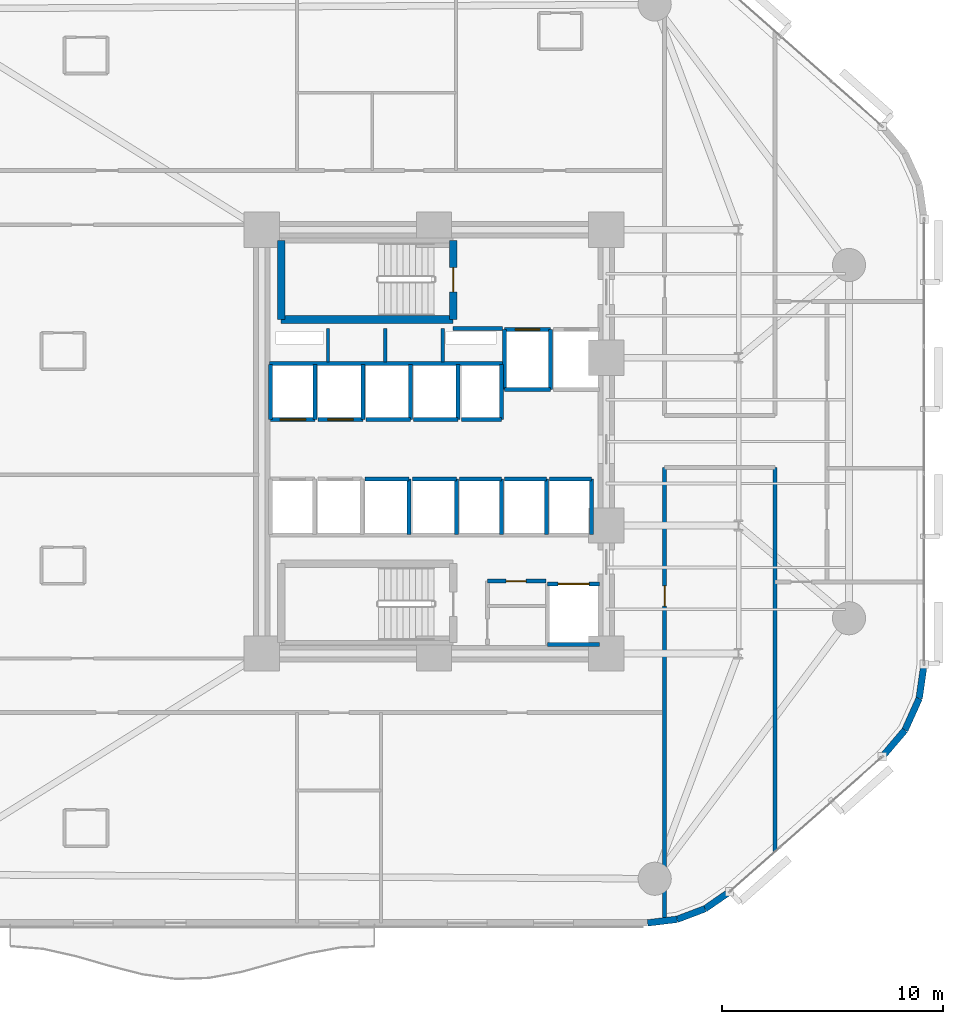
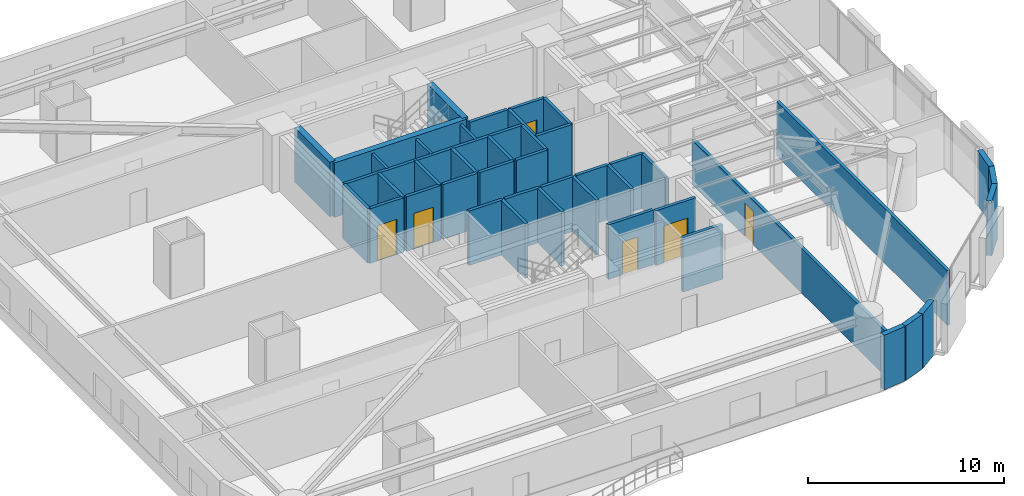
# One storey, part 11 of 16: 44 walls, 7 doors, 7 openings.
"""IFC4 building model written with IfcOpenShell, lengths in metres."""

import ifcopenshell
import ifcopenshell.guid

model = None  # the IFC model being written
_history = None  # IfcOwnerHistory: only IFC2X3 demands one
_inside = {}  # id of a spatial element -> (the spatial element, [elements in it])
_under = {}  # id of a project, library or spatial element -> (it, [spatial elements below it])
_declared = {}  # id of a project -> (the project, [libraries it declares])
_typed = {}  # id of a type object -> (the type object, [elements of that type])
_made_of = {}  # id of a material, layer set ... -> (it, [elements and type objects made of it])


def new_model(schema):
    """Start an empty IFC model of exactly this schema.

    Asked for "IFC4X3", IfcOpenShell would pick the latest addendum, in which some entities
    have other attributes; the version numbers below select the first issue.
    IFC2X3 requires an IfcOwnerHistory on every rooted entity: one is made here for all.
    """
    global model, _history
    if schema == "IFC4X3":
        model = ifcopenshell.file(schema_version=(4, 3, 0, 0))
    else:
        model = ifcopenshell.file(schema=schema)
    _inside.clear()
    _under.clear()
    _declared.clear()
    _typed.clear()
    _made_of.clear()
    _history = None
    if model.schema == "IFC2X3":
        org = make("IfcOrganization", Name="unknown")
        user = make(
            "IfcPersonAndOrganization",
            ThePerson=make("IfcPerson", FamilyName="unknown"),
            TheOrganization=org,
        )
        app = make(
            "IfcApplication",
            ApplicationDeveloper=org,
            Version="unknown",
            ApplicationFullName="unknown",
            ApplicationIdentifier="unknown",
        )
        _history = make(
            "IfcOwnerHistory",
            OwningUser=user,
            OwningApplication=app,
            ChangeAction="ADDED",
            CreationDate=0,
        )
    return model


def make(cls, **values):
    """One entity of the class cls with the attributes given. An attribute that is None is left unset."""
    return model.create_entity(
        cls, **{name: value for name, value in values.items() if value is not None}
    )


def rooted(cls, **values):
    """An entity with a GlobalId (a new one), such as an element, a storey or a relation."""
    return make(cls, GlobalId=ifcopenshell.guid.new(), OwnerHistory=_history, **values)


def si_unit(unit_type, name, prefix=None):
    """IfcSIUnit, for example si_unit("LENGTHUNIT", "METRE", prefix="MILLI")."""
    return make("IfcSIUnit", UnitType=unit_type, Prefix=prefix, Name=name)


def assignment(units):
    """IfcUnitAssignment: the units of a project."""
    return None if units is None else make("IfcUnitAssignment", Units=units)


def point(xyz):
    """IfcCartesianPoint."""
    return None if xyz is None else make("IfcCartesianPoint", Coordinates=xyz)


def direction(xyz):
    """IfcDirection."""
    return None if xyz is None else make("IfcDirection", DirectionRatios=xyz)


def frame(location, z_axis=None, x_axis=None):
    """IfcAxis2Placement3D, a coordinate frame: its origin and axes. An axis left out is left unset."""
    return make(
        "IfcAxis2Placement3D",
        Location=point(location),
        Axis=direction(z_axis),
        RefDirection=direction(x_axis),
    )


def frame_2d(location, x_axis=None):
    """IfcAxis2Placement2D, a coordinate frame in the plane: its origin and x axis."""
    return make(
        "IfcAxis2Placement2D", Location=point(location), RefDirection=direction(x_axis)
    )


def origin():
    """The frame at (0, 0, 0) with its axes left unset."""
    return frame((0.0, 0.0, 0.0))


def place(relative_to, where):
    """IfcLocalPlacement: puts the frame where relative to a parent placement (None: the world)."""
    return make(
        "IfcLocalPlacement", PlacementRelTo=relative_to, RelativePlacement=where
    )


def context(
    kind, dimensions, precision=None, world=None, true_north=None, identifier=None
):
    """IfcGeometricRepresentationContext, for example the 3D "Model" context."""
    return make(
        "IfcGeometricRepresentationContext",
        ContextIdentifier=identifier,
        ContextType=kind,
        CoordinateSpaceDimension=dimensions,
        Precision=precision,
        WorldCoordinateSystem=world,
        TrueNorth=true_north,
    )


def subcontext(parent, identifier, kind, view, scale=None):
    """IfcGeometricRepresentationSubContext, for example "Body" below "Model"."""
    return make(
        "IfcGeometricRepresentationSubContext",
        ContextIdentifier=identifier,
        ContextType=kind,
        ParentContext=parent,
        TargetScale=scale,
        TargetView=view,
    )


def project(units=None, contexts=None):
    """IfcProject with its units and contexts."""
    return rooted(
        "IfcProject",
        Name="project",
        RepresentationContexts=contexts,
        UnitsInContext=assignment(units),
    )


def spatial(cls, under=None, at=None, **own):
    """A site, building, storey or space (cls), placed at a placement, below another one or the project."""
    s = rooted(cls, ObjectPlacement=at, **own)
    if under is not None:
        _under.setdefault(under.id(), (under, []))[1].append(s)
    return s


def profile(cls, at=None, kind="AREA", **sizes):
    """A parametric profile (cls). Its sizes go by their IFC names, for example OverallWidth=200.0."""
    return make(cls, ProfileType=kind, Position=at, **sizes)


def rectangle(**sizes):
    """IfcRectangleProfileDef."""
    return profile("IfcRectangleProfileDef", **sizes)


def extrude(swept, where, along, depth):
    """IfcExtrudedAreaSolid: the profile swept, set in the frame where, extruded along a direction by depth."""
    return make(
        "IfcExtrudedAreaSolid",
        SweptArea=swept,
        Position=where,
        ExtrudedDirection=direction(along),
        Depth=depth,
    )


def shape(context_of_items, identifier, shape_type, items):
    """IfcShapeRepresentation: the items that make up one representation, for example the "Body"."""
    return make(
        "IfcShapeRepresentation",
        ContextOfItems=context_of_items,
        RepresentationIdentifier=identifier,
        RepresentationType=shape_type,
        Items=items,
    )


def material(Name=None, Category=None):
    """IfcMaterial."""
    return make("IfcMaterial", Name=Name, Category=Category)


def layer(
    of_material, thickness, ventilated=None, Name=None, Category=None, Priority=None
):
    """IfcMaterialLayer: one layer of a wall or slab, of a material (None: an air gap)."""
    return make(
        "IfcMaterialLayer",
        Material=of_material,
        LayerThickness=thickness,
        IsVentilated=ventilated,
        Name=Name,
        Category=Category,
        Priority=Priority,
    )


def layer_set(layers, Name=None):
    """IfcMaterialLayerSet."""
    return make("IfcMaterialLayerSet", MaterialLayers=layers, LayerSetName=Name)


def made_of(thing, what):
    """Note that an element or type object is made of a material, layer set ...; save() writes the relation."""
    if what is not None:
        _made_of.setdefault(what.id(), (what, []))[1].append(thing)
    return thing


def type_object(cls, material=None, **own):
    """A type object (cls), such as IfcWallType, which elements share."""
    return made_of(rooted(cls, **own), material)


def element(
    cls,
    number,
    at=None,
    inside=None,
    cuts=None,
    type_object=None,
    material=None,
    context=None,
    identifier="Body",
    shape_type=None,
    held_by="IfcProductDefinitionShape",
    body=None,
    shapes=None,
    **own,
):
    """One element of the class cls, such as IfcWall. Its Tag is "e" and its number.

    at: its placement. inside: the storey or other place that contains it. cuts: it is an
    opening in that element (IfcRelVoidsElement). A single representation is given by context,
    identifier, shape_type and body (its items); several are given by shapes. held_by: the class
    of the entity that holds the representations. save() writes the other relations.
    """
    e = rooted(cls, Tag="e%d" % number, ObjectPlacement=at, **own)
    if body is not None:
        shapes = [shape(context, identifier, shape_type, body)]
    if shapes is not None:
        e.Representation = make(held_by, Representations=shapes)
    if inside is not None:
        _inside.setdefault(inside.id(), (inside, []))[1].append(e)
    if cuts is not None:
        rooted(
            "IfcRelVoidsElement", RelatingBuildingElement=cuts, RelatedOpeningElement=e
        )
    if type_object is not None:
        _typed.setdefault(type_object.id(), (type_object, []))[1].append(e)
    return made_of(e, material)


def fill(opening, filler):
    """IfcRelFillsElement: the door or window that sits in an opening."""
    return rooted(
        "IfcRelFillsElement",
        RelatingOpeningElement=opening,
        RelatedBuildingElement=filler,
    )


def aggregate(whole, parts):
    """IfcRelAggregates: a whole, such as a stair, and the parts it consists of."""
    return rooted("IfcRelAggregates", RelatingObject=whole, RelatedObjects=parts)


def save(model, path):
    """Write the relations noted so far, then the file.

    IfcRelAggregates (storeys below a building ...), IfcRelContainedInSpatialStructure (elements
    in a storey), IfcRelDefinesByType, IfcRelAssociatesMaterial and IfcRelDeclares: one each for
    every whole, place, type object, material and project.
    """
    for whole, parts in _under.values():
        aggregate(whole, parts)
    for where, things in _inside.values():
        rooted(
            "IfcRelContainedInSpatialStructure",
            RelatedElements=things,
            RelatingStructure=where,
        )
    for kind, things in _typed.values():
        rooted("IfcRelDefinesByType", RelatedObjects=things, RelatingType=kind)
    for what, things in _made_of.values():
        rooted("IfcRelAssociatesMaterial", RelatedObjects=things, RelatingMaterial=what)
    for by, libraries in _declared.values():
        rooted("IfcRelDeclares", RelatingContext=by, RelatedDefinitions=libraries)
    model.write(path)


model = new_model("IFC4")

# Units and contexts
model_context = context("Model", 3, precision=1e-05, world=origin(), true_north=direction((0.0, 1.0)))
body_context = subcontext(model_context, "Body", "Model", "MODEL_VIEW")
ifc_project = project(units=[si_unit("LENGTHUNIT", "METRE"), si_unit("AREAUNIT", "SQUARE_METRE"), si_unit("VOLUMEUNIT", "CUBIC_METRE"), si_unit("PLANEANGLEUNIT", "RADIAN"), si_unit("MASSUNIT", "GRAM", prefix="KILO")], contexts=[model_context])

# Site, building, storey
site_placement = place(None, origin())
site = spatial("IfcSite", under=ifc_project, at=site_placement, CompositionType="ELEMENT")
building_placement = place(site_placement, origin())
building = spatial("IfcBuilding", under=site, at=building_placement, Name="An Khanh Terracotta Commons", CompositionType="ELEMENT")
storey_placement = place(building_placement, frame((0.0, 0.0, 54.0)))
storey = spatial("IfcBuildingStorey", under=building, at=storey_placement, Name="L14", CompositionType="ELEMENT", Elevation=54.0)

# Walls
ifc_material_1 = material(Name="Fire-Rated Gypsum Board on Steel Stud", Category="steel")
ifc_layer_1 = layer(ifc_material_1, 0.179931640625, Name="Fire-Rated Gypsum Board on Steel Stud")
ifc_layer_set_1 = layer_set([ifc_layer_1], Name="Fire-Rated Gypsum Board on Steel Stud")
wall_type_1 = type_object("IfcWallType", Name="WALL-CORR-180", PredefinedType="PARTITIONING", material=ifc_layer_set_1)
wall_1_placement = place(storey_placement, frame((30.27001953125, 29.1201171875, 0.0), z_axis=(0.0, 0.0, 1.0), x_axis=(1.0, 0.0, 0.0)))
element("IfcWall", 1, at=wall_1_placement, inside=storey, type_object=wall_type_1, Name="L14 Core Wall FFLW-L14-S", PredefinedType="PARTITIONING", context=body_context, shape_type="SweptSolid", body=[
    extrude(rectangle(XDim=2.239990234375, YDim=0.179931640625, at=frame_2d((1.1201171875, 0.0))), origin(), (0.0, 0.0, 1.0), 3.39990234375),
])
wall_2_placement = place(storey_placement, frame((21.949951171875, 27.5400390625, 0.0), z_axis=(0.0, 0.0, 1.0), x_axis=(1.0, 0.0, 0.0)))
element("IfcWall", 2, at=wall_2_placement, inside=storey, type_object=wall_type_1, Name="L14 Core Wall RSRW-L14-S", PredefinedType="PARTITIONING", context=body_context, shape_type="SweptSolid", body=[
    extrude(rectangle(XDim=10.56005859375, YDim=0.179931640625, at=frame_2d((5.280029296875, 0.0))), origin(), (0.0, 0.0, 1.0), 3.39990234375),
])

# Wall, opening, door
wall_3_placement = place(storey_placement, frame((31.820068359375, 17.679931640625, 0.0), z_axis=(0.0, 0.0, 1.0), x_axis=(1.0, 0.0, 0.0)))
wall_3 = element("IfcWall", 3, at=wall_3_placement, inside=storey, type_object=wall_type_1, Name="L14 Core Wall SSVCW-L14-N", PredefinedType="PARTITIONING", context=body_context, shape_type="SweptSolid", body=[
    extrude(rectangle(XDim=2.659912109375, YDim=0.179931640625, at=frame_2d((1.330078125, 0.0))), origin(), (0.0, 0.0, 1.0), 3.39990234375),
])
opening_1_placement = place(wall_3_placement, frame((0.85009765625, 0.0, 0.0)))
opening_1 = element("IfcOpeningElement", 4, at=opening_1_placement, cuts=wall_3, Name="Opening D-SV", PredefinedType="OPENING", context=body_context, shape_type="SweptSolid", body=[
    extrude(rectangle(XDim=0.89990234375, YDim=2.050048828125, at=frame_2d((0.449951171875, 1.02490234375))), frame((0.0, 0.099853515625, 0.0), z_axis=(0.0, -1.0, 0.0), x_axis=(1.0, 0.0, 0.0)), (0.0, 0.0, 1.0), 0.199951171875),
])
ifc_material_2 = material(Name="Fire-Rated Powder-Coated Steel Door", Category="steel")
door_type_1 = type_object("IfcDoorType", Name="DOOR-SERV-900", OperationType="NOTDEFINED", PredefinedType="DOOR", material=ifc_material_2)
door_1_placement = place(opening_1_placement, origin())
door_1 = element("IfcDoor", 5, at=door_1_placement, inside=storey, type_object=door_type_1, Name="L14 Core Cleaner Store Door", OperationType="SINGLE_SWING_RIGHT", OverallHeight=2.050048828125, OverallWidth=0.89990234375, PredefinedType="DOOR", context=body_context, shape_type="SweptSolid", body=[
    extrude(rectangle(XDim=0.89990234375, YDim=2.050048828125, at=frame_2d((0.449951171875, 1.02490234375))), frame((0.0, 0.02490234375, 0.0), z_axis=(0.0, -1.0, 0.0), x_axis=(1.0, 0.0, 0.0)), (0.0, 0.0, 1.0), 0.050048828125),
])
fill(opening_1, door_1)

wall_4_placement = place(storey_placement, frame((32.60009765625, 29.080078125, 0.0), z_axis=(0.0, 0.0, 1.0), x_axis=(1.0, 0.0, 0.0)))
wall_4 = element("IfcWall", 6, at=wall_4_placement, inside=storey, type_object=wall_type_1, Name="L14 Core Wall LSH-L14-FFL-01-N", PredefinedType="PARTITIONING", context=body_context, shape_type="SweptSolid", body=[
    extrude(rectangle(XDim=2.079833984375, YDim=0.179931640625, at=frame_2d((1.0400390625, 0.0))), origin(), (0.0, 0.0, 1.0), 3.39990234375),
])
opening_2_placement = place(wall_4_placement, frame((0.489990234375, 0.0, 0.0)))
opening_2 = element("IfcOpeningElement", 7, at=opening_2_placement, cuts=wall_4, Name="Opening LD-FFL-01-L14", PredefinedType="OPENING", context=body_context, shape_type="SweptSolid", body=[
    extrude(rectangle(XDim=1.10009765625, YDim=2.199951171875, at=frame_2d((0.550048828125, 1.10009765625))), frame((0.0, 0.099853515625, 0.0), z_axis=(0.0, -1.0, 0.0), x_axis=(1.0, 0.0, 0.0)), (0.0, 0.0, 1.0), 0.199951171875),
])
ifc_material_3 = material(Name="Brushed Stainless Steel Fire Landing Door", Category="steel")
door_type_2 = type_object("IfcDoorType", Name="DOOR-LD-FFL-1100", OperationType="NOTDEFINED", PredefinedType="DOOR", material=ifc_material_3)
door_2_placement = place(opening_2_placement, origin())
door_2 = element("IfcDoor", 8, at=door_2_placement, inside=storey, type_object=door_type_2, Name="L14 Lift FFL-01 Sliding Landing Door", OperationType="DOUBLE_DOOR_SLIDING", OverallHeight=2.199951171875, OverallWidth=1.10009765625, PredefinedType="DOOR", context=body_context, shape_type="SweptSolid", body=[
    extrude(rectangle(XDim=1.10009765625, YDim=2.199951171875, at=frame_2d((0.550048828125, 1.10009765625))), frame((0.0, 0.02490234375, 0.0), z_axis=(0.0, -1.0, 0.0), x_axis=(1.0, 0.0, 0.0)), (0.0, 0.0, 1.0), 0.050048828125),
])
fill(opening_2, door_2)

# Walls
wall_5_placement = place(storey_placement, frame((34.679931640625, 26.35009765625, 0.0), z_axis=(0.0, 0.0, 1.0), x_axis=(-1.0, 0.0, 0.0)))
element("IfcWall", 9, at=wall_5_placement, inside=storey, type_object=wall_type_1, Name="L14 Core Wall LSH-L14-FFL-01-S", PredefinedType="PARTITIONING", context=body_context, shape_type="SweptSolid", body=[
    extrude(rectangle(XDim=2.079833984375, YDim=0.179931640625, at=frame_2d((1.0400390625, 0.0))), origin(), (0.0, 0.0, 1.0), 3.39990234375),
])
for number, where, z_axis, x_axis, name in (
    (10, (34.679931640625, 26.35009765625, 0.0), (0.0, 0.0, 1.0), (0.0, 1.0, 0.0), "L14 Core Wall LSH-L14-FFL-01-E"),
    (11, (32.60009765625, 29.080078125, 0.0), (0.0, 0.0, 1.0), (0.0, -1.0, 0.0), "L14 Core Wall LSH-L14-FFL-01-W"),
):
    element("IfcWall", number, at=place(storey_placement, frame(where, z_axis=z_axis, x_axis=x_axis)), inside=storey, type_object=wall_type_1, Name=name, PredefinedType="PARTITIONING", context=body_context, shape_type="SweptSolid", body=[
        extrude(rectangle(XDim=2.72998046875, YDim=0.179931640625, at=frame_2d((1.364990234375, 0.0))), origin(), (0.0, 0.0, 1.0), 3.39990234375),
    ])

# Wall, opening, door
wall_6_placement = place(storey_placement, frame((34.550048828125, 17.550048828125, 0.0), z_axis=(0.0, 0.0, 1.0), x_axis=(1.0, 0.0, 0.0)))
wall_6 = element("IfcWall", 12, at=wall_6_placement, inside=storey, type_object=wall_type_1, Name="L14 Core Wall LSH-L14-SVL-01-N", PredefinedType="PARTITIONING", context=body_context, shape_type="SweptSolid", body=[
    extrude(rectangle(XDim=2.349853515625, YDim=0.179931640625, at=frame_2d((1.1748046875, 0.0))), origin(), (0.0, 0.0, 1.0), 3.39990234375),
])
opening_3_placement = place(wall_6_placement, frame((0.47509765625, 0.0, 0.0)))
opening_3 = element("IfcOpeningElement", 13, at=opening_3_placement, cuts=wall_6, Name="Opening LD-SVL-01-L14", PredefinedType="OPENING", context=body_context, shape_type="SweptSolid", body=[
    extrude(rectangle(XDim=1.39990234375, YDim=2.300048828125, at=frame_2d((0.699951171875, 1.14990234375))), frame((0.0, 0.099853515625, 0.0), z_axis=(0.0, -1.0, 0.0), x_axis=(1.0, 0.0, 0.0)), (0.0, 0.0, 1.0), 0.199951171875),
])
ifc_material_4 = material(Name="Heavy-Duty Stainless Steel Goods Landing Door", Category="steel")
door_type_3 = type_object("IfcDoorType", Name="DOOR-LD-SVL-1400", OperationType="NOTDEFINED", PredefinedType="DOOR", material=ifc_material_4)
door_3_placement = place(opening_3_placement, origin())
door_3 = element("IfcDoor", 14, at=door_3_placement, inside=storey, type_object=door_type_3, Name="L14 Lift SVL-01 Sliding Landing Door", OperationType="DOUBLE_DOOR_SLIDING", OverallHeight=2.300048828125, OverallWidth=1.39990234375, PredefinedType="DOOR", context=body_context, shape_type="SweptSolid", body=[
    extrude(rectangle(XDim=1.39990234375, YDim=2.300048828125, at=frame_2d((0.699951171875, 1.14990234375))), frame((0.0, 0.02490234375, 0.0), z_axis=(0.0, -1.0, 0.0), x_axis=(1.0, 0.0, 0.0)), (0.0, 0.0, 1.0), 0.050048828125),
])
fill(opening_3, door_3)

# Wall
wall_7_placement = place(storey_placement, frame((36.89990234375, 14.800048828125, 0.0), z_axis=(0.0, 0.0, 1.0), x_axis=(-1.0, 0.0, 0.0)))
element("IfcWall", 15, at=wall_7_placement, inside=storey, type_object=wall_type_1, Name="L14 Core Wall LSH-L14-SVL-01-S", PredefinedType="PARTITIONING", context=body_context, shape_type="SweptSolid", body=[
    extrude(rectangle(XDim=2.349853515625, YDim=0.179931640625, at=frame_2d((1.1748046875, 0.0))), origin(), (0.0, 0.0, 1.0), 3.39990234375),
])

# Wall, opening, door
wall_8_placement = place(storey_placement, frame((24.02001953125, 25.0, 0.0), z_axis=(0.0, 0.0, 1.0), x_axis=(-1.0, 0.0, 0.0)))
wall_8 = element("IfcWall", 16, at=wall_8_placement, inside=storey, type_object=wall_type_1, Name="L14 Core Wall LSH-L14-PL-L1-S", PredefinedType="PARTITIONING", context=body_context, shape_type="SweptSolid", body=[
    extrude(rectangle(XDim=2.02001953125, YDim=0.179931640625, at=frame_2d((1.010009765625, 0.0))), origin(), (0.0, 0.0, 1.0), 3.39990234375),
])
opening_4_placement = place(wall_8_placement, frame((0.43505859375, 0.0, 0.0)))
opening_4 = element("IfcOpeningElement", 17, at=opening_4_placement, cuts=wall_8, Name="Opening LD-PL-L1-L14", PredefinedType="OPENING", context=body_context, shape_type="SweptSolid", body=[
    extrude(rectangle(XDim=1.14990234375, YDim=2.199951171875, at=frame_2d((0.574951171875, 1.10009765625))), frame((0.0, 0.099853515625, 0.0), z_axis=(0.0, -1.0, 0.0), x_axis=(1.0, 0.0, 0.0)), (0.0, 0.0, 1.0), 0.199951171875),
])
ifc_material_5 = material(Name="Brushed Stainless Steel Passenger Landing Door", Category="steel")
door_type_4 = type_object("IfcDoorType", Name="DOOR-LD-PAX-1150", OperationType="NOTDEFINED", PredefinedType="DOOR", material=ifc_material_5)
door_4_placement = place(opening_4_placement, origin())
door_4 = element("IfcDoor", 18, at=door_4_placement, inside=storey, type_object=door_type_4, Name="L14 Lift PL-L1 Sliding Landing Door", OperationType="DOUBLE_DOOR_SLIDING", OverallHeight=2.199951171875, OverallWidth=1.14990234375, PredefinedType="DOOR", context=body_context, shape_type="SweptSolid", body=[
    extrude(rectangle(XDim=1.14990234375, YDim=2.199951171875, at=frame_2d((0.574951171875, 1.10009765625))), frame((0.0, 0.02490234375, 0.0), z_axis=(0.0, -1.0, 0.0), x_axis=(1.0, 0.0, 0.0)), (0.0, 0.0, 1.0), 0.050048828125),
])
fill(opening_4, door_4)

# Walls
for number, where, z_axis, x_axis, name in (
    (19, (24.02001953125, 25.0, 0.0), (0.0, 0.0, 1.0), (0.0, 1.0, 0.0), "L14 Core Wall LSH-L14-PL-L1-E"),
    (20, (22.0, 27.5, 0.0), (0.0, 0.0, 1.0), (0.0, -1.0, 0.0), "L14 Core Wall LSH-L14-PL-L1-W"),
):
    element("IfcWall", number, at=place(storey_placement, frame(where, z_axis=z_axis, x_axis=x_axis)), inside=storey, type_object=wall_type_1, Name=name, PredefinedType="PARTITIONING", context=body_context, shape_type="SweptSolid", body=[
        extrude(rectangle(XDim=2.5, YDim=0.179931640625, at=frame_2d((1.25, 0.0))), origin(), (0.0, 0.0, 1.0), 3.39990234375),
    ])

# Wall, opening, door
wall_9_placement = place(storey_placement, frame((26.179931640625, 25.0, 0.0), z_axis=(0.0, 0.0, 1.0), x_axis=(-1.0, 0.0, 0.0)))
wall_9 = element("IfcWall", 21, at=wall_9_placement, inside=storey, type_object=wall_type_1, Name="L14 Core Wall LSH-L14-PL-L2-S", PredefinedType="PARTITIONING", context=body_context, shape_type="SweptSolid", body=[
    extrude(rectangle(XDim=2.02001953125, YDim=0.179931640625, at=frame_2d((1.010009765625, 0.0))), origin(), (0.0, 0.0, 1.0), 3.39990234375),
])
opening_5_placement = place(wall_9_placement, frame((0.43505859375, 0.0, 0.0)))
opening_5 = element("IfcOpeningElement", 22, at=opening_5_placement, cuts=wall_9, Name="Opening LD-PL-L2-L14", PredefinedType="OPENING", context=body_context, shape_type="SweptSolid", body=[
    extrude(rectangle(XDim=1.14990234375, YDim=2.199951171875, at=frame_2d((0.574951171875, 1.10009765625))), frame((0.0, 0.099853515625, 0.0), z_axis=(0.0, -1.0, 0.0), x_axis=(1.0, 0.0, 0.0)), (0.0, 0.0, 1.0), 0.199951171875),
])
door_5_placement = place(opening_5_placement, origin())
door_5 = element("IfcDoor", 23, at=door_5_placement, inside=storey, type_object=door_type_4, Name="L14 Lift PL-L2 Sliding Landing Door", OperationType="DOUBLE_DOOR_SLIDING", OverallHeight=2.199951171875, OverallWidth=1.14990234375, PredefinedType="DOOR", context=body_context, shape_type="SweptSolid", body=[
    extrude(rectangle(XDim=1.14990234375, YDim=2.199951171875, at=frame_2d((0.574951171875, 1.10009765625))), frame((0.0, 0.02490234375, 0.0), z_axis=(0.0, -1.0, 0.0), x_axis=(1.0, 0.0, 0.0)), (0.0, 0.0, 1.0), 0.050048828125),
])
fill(opening_5, door_5)

# Walls
wall_10_placement = place(storey_placement, frame((26.179931640625, 25.0, 0.0), z_axis=(0.0, 0.0, 1.0), x_axis=(0.0, 1.0, 0.0)))
element("IfcWall", 24, at=wall_10_placement, inside=storey, type_object=wall_type_1, Name="L14 Core Wall LSH-L14-PL-L2-E", PredefinedType="PARTITIONING", context=body_context, shape_type="SweptSolid", body=[
    extrude(rectangle(XDim=2.5, YDim=0.179931640625, at=frame_2d((1.25, 0.0))), origin(), (0.0, 0.0, 1.0), 3.39990234375),
])
wall_11_placement = place(storey_placement, frame((28.340087890625, 25.0, 0.0), z_axis=(0.0, 0.0, 1.0), x_axis=(-1.0, 0.0, 0.0)))
element("IfcWall", 25, at=wall_11_placement, inside=storey, type_object=wall_type_1, Name="L14 Core Wall LSH-L14-PL-M1-S", PredefinedType="PARTITIONING", context=body_context, shape_type="SweptSolid", body=[
    extrude(rectangle(XDim=2.02001953125, YDim=0.179931640625, at=frame_2d((1.010009765625, 0.0))), origin(), (0.0, 0.0, 1.0), 3.39990234375),
])
wall_12_placement = place(storey_placement, frame((28.340087890625, 25.0, 0.0), z_axis=(0.0, 0.0, 1.0), x_axis=(0.0, 1.0, 0.0)))
element("IfcWall", 26, at=wall_12_placement, inside=storey, type_object=wall_type_1, Name="L14 Core Wall LSH-L14-PL-M1-E", PredefinedType="PARTITIONING", context=body_context, shape_type="SweptSolid", body=[
    extrude(rectangle(XDim=2.5, YDim=0.179931640625, at=frame_2d((1.25, 0.0))), origin(), (0.0, 0.0, 1.0), 3.39990234375),
])
wall_13_placement = place(storey_placement, frame((30.5, 25.0, 0.0), z_axis=(0.0, 0.0, 1.0), x_axis=(-1.0, 0.0, 0.0)))
element("IfcWall", 27, at=wall_13_placement, inside=storey, type_object=wall_type_1, Name="L14 Core Wall LSH-L14-PL-M2-S", PredefinedType="PARTITIONING", context=body_context, shape_type="SweptSolid", body=[
    extrude(rectangle(XDim=2.02001953125, YDim=0.179931640625, at=frame_2d((1.010009765625, 0.0))), origin(), (0.0, 0.0, 1.0), 3.39990234375),
])
wall_14_placement = place(storey_placement, frame((30.5, 25.0, 0.0), z_axis=(0.0, 0.0, 1.0), x_axis=(0.0, 1.0, 0.0)))
element("IfcWall", 28, at=wall_14_placement, inside=storey, type_object=wall_type_1, Name="L14 Core Wall LSH-L14-PL-M2-E", PredefinedType="PARTITIONING", context=body_context, shape_type="SweptSolid", body=[
    extrude(rectangle(XDim=2.5, YDim=0.179931640625, at=frame_2d((1.25, 0.0))), origin(), (0.0, 0.0, 1.0), 3.39990234375),
])
wall_15_placement = place(storey_placement, frame((26.280029296875, 22.300048828125, 0.0), z_axis=(0.0, 0.0, 1.0), x_axis=(1.0, 0.0, 0.0)))
element("IfcWall", 29, at=wall_15_placement, inside=storey, type_object=wall_type_1, Name="L14 Core Wall LSH-L14-PL-M3-N", PredefinedType="PARTITIONING", context=body_context, shape_type="SweptSolid", body=[
    extrude(rectangle(XDim=2.0, YDim=0.179931640625, at=frame_2d((1.0, 0.0))), origin(), (0.0, 0.0, 1.0), 3.39990234375),
])
wall_16_placement = place(storey_placement, frame((28.280029296875, 19.800048828125, 0.0), z_axis=(0.0, 0.0, 1.0), x_axis=(0.0, 1.0, 0.0)))
element("IfcWall", 30, at=wall_16_placement, inside=storey, type_object=wall_type_1, Name="L14 Core Wall LSH-L14-PL-M3-E", PredefinedType="PARTITIONING", context=body_context, shape_type="SweptSolid", body=[
    extrude(rectangle(XDim=2.5, YDim=0.179931640625, at=frame_2d((1.25, 0.0))), origin(), (0.0, 0.0, 1.0), 3.39990234375),
])
wall_17_placement = place(storey_placement, frame((28.419921875, 22.300048828125, 0.0), z_axis=(0.0, 0.0, 1.0), x_axis=(1.0, 0.0, 0.0)))
element("IfcWall", 31, at=wall_17_placement, inside=storey, type_object=wall_type_1, Name="L14 Core Wall LSH-L14-PL-M4-N", PredefinedType="PARTITIONING", context=body_context, shape_type="SweptSolid", body=[
    extrude(rectangle(XDim=2.0, YDim=0.179931640625, at=frame_2d((1.0, 0.0))), origin(), (0.0, 0.0, 1.0), 3.39990234375),
])
wall_18_placement = place(storey_placement, frame((30.419921875, 19.800048828125, 0.0), z_axis=(0.0, 0.0, 1.0), x_axis=(0.0, 1.0, 0.0)))
element("IfcWall", 32, at=wall_18_placement, inside=storey, type_object=wall_type_1, Name="L14 Core Wall LSH-L14-PL-M4-E", PredefinedType="PARTITIONING", context=body_context, shape_type="SweptSolid", body=[
    extrude(rectangle(XDim=2.5, YDim=0.179931640625, at=frame_2d((1.25, 0.0))), origin(), (0.0, 0.0, 1.0), 3.39990234375),
])
wall_19_placement = place(storey_placement, frame((32.4599609375, 25.0, 0.0), z_axis=(0.0, 0.0, 1.0), x_axis=(-1.0, 0.0, 0.0)))
element("IfcWall", 33, at=wall_19_placement, inside=storey, type_object=wall_type_1, Name="L14 Core Wall LSH-L14-PL-H1-S", PredefinedType="PARTITIONING", context=body_context, shape_type="SweptSolid", body=[
    extrude(rectangle(XDim=1.820068359375, YDim=0.179931640625, at=frame_2d((0.91015625, 0.0))), origin(), (0.0, 0.0, 1.0), 3.39990234375),
])
wall_20_placement = place(storey_placement, frame((32.4599609375, 25.0, 0.0), z_axis=(0.0, 0.0, 1.0), x_axis=(0.0, 1.0, 0.0)))
element("IfcWall", 34, at=wall_20_placement, inside=storey, type_object=wall_type_1, Name="L14 Core Wall LSH-L14-PL-H1-E", PredefinedType="PARTITIONING", context=body_context, shape_type="SweptSolid", body=[
    extrude(rectangle(XDim=2.5, YDim=0.179931640625, at=frame_2d((1.25, 0.0))), origin(), (0.0, 0.0, 1.0), 3.39990234375),
])
wall_21_placement = place(storey_placement, frame((30.56005859375, 22.300048828125, 0.0), z_axis=(0.0, 0.0, 1.0), x_axis=(1.0, 0.0, 0.0)))
element("IfcWall", 35, at=wall_21_placement, inside=storey, type_object=wall_type_1, Name="L14 Core Wall LSH-L14-PL-H2-N", PredefinedType="PARTITIONING", context=body_context, shape_type="SweptSolid", body=[
    extrude(rectangle(XDim=1.89990234375, YDim=0.179931640625, at=frame_2d((0.949951171875, 0.0))), origin(), (0.0, 0.0, 1.0), 3.39990234375),
])
wall_22_placement = place(storey_placement, frame((32.4599609375, 19.800048828125, 0.0), z_axis=(0.0, 0.0, 1.0), x_axis=(0.0, 1.0, 0.0)))
element("IfcWall", 36, at=wall_22_placement, inside=storey, type_object=wall_type_1, Name="L14 Core Wall LSH-L14-PL-H2-E", PredefinedType="PARTITIONING", context=body_context, shape_type="SweptSolid", body=[
    extrude(rectangle(XDim=2.5, YDim=0.179931640625, at=frame_2d((1.25, 0.0))), origin(), (0.0, 0.0, 1.0), 3.39990234375),
])
wall_23_placement = place(storey_placement, frame((32.60009765625, 22.300048828125, 0.0), z_axis=(0.0, 0.0, 1.0), x_axis=(1.0, 0.0, 0.0)))
element("IfcWall", 37, at=wall_23_placement, inside=storey, type_object=wall_type_1, Name="L14 Core Wall LSH-L14-PL-H3-N", PredefinedType="PARTITIONING", context=body_context, shape_type="SweptSolid", body=[
    extrude(rectangle(XDim=1.89990234375, YDim=0.179931640625, at=frame_2d((0.949951171875, 0.0))), origin(), (0.0, 0.0, 1.0), 3.39990234375),
])
wall_24_placement = place(storey_placement, frame((34.5, 19.800048828125, 0.0), z_axis=(0.0, 0.0, 1.0), x_axis=(0.0, 1.0, 0.0)))
element("IfcWall", 38, at=wall_24_placement, inside=storey, type_object=wall_type_1, Name="L14 Core Wall LSH-L14-PL-H3-E", PredefinedType="PARTITIONING", context=body_context, shape_type="SweptSolid", body=[
    extrude(rectangle(XDim=2.5, YDim=0.179931640625, at=frame_2d((1.25, 0.0))), origin(), (0.0, 0.0, 1.0), 3.39990234375),
])
wall_25_placement = place(storey_placement, frame((34.639892578125, 22.300048828125, 0.0), z_axis=(0.0, 0.0, 1.0), x_axis=(1.0, 0.0, 0.0)))
element("IfcWall", 39, at=wall_25_placement, inside=storey, type_object=wall_type_1, Name="L14 Core Wall LSH-L14-PL-H4-N", PredefinedType="PARTITIONING", context=body_context, shape_type="SweptSolid", body=[
    extrude(rectangle(XDim=1.900146484375, YDim=0.179931640625, at=frame_2d((0.9501953125, 0.0))), origin(), (0.0, 0.0, 1.0), 3.39990234375),
])
wall_26_placement = place(storey_placement, frame((36.5400390625, 19.800048828125, 0.0), z_axis=(0.0, 0.0, 1.0), x_axis=(0.0, 1.0, 0.0)))
element("IfcWall", 40, at=wall_26_placement, inside=storey, type_object=wall_type_1, Name="L14 Core Wall LSH-L14-PL-H4-E", PredefinedType="PARTITIONING", context=body_context, shape_type="SweptSolid", body=[
    extrude(rectangle(XDim=2.5, YDim=0.179931640625, at=frame_2d((1.25, 0.0))), origin(), (0.0, 0.0, 1.0), 3.39990234375),
])

# Wall, opening, door
wall_27_placement = place(storey_placement, frame((39.85009765625, 2.29296875, 0.0), z_axis=(0.0, 0.0, 1.0), x_axis=(0.0, 1.0, 0.0)))
wall_27 = element("IfcWall", 41, at=wall_27_placement, inside=storey, type_object=wall_type_1, Name="L14 Interior Partition IW-L14-E020", PredefinedType="PARTITIONING", context=body_context, shape_type="SweptSolid", body=[
    extrude(rectangle(XDim=20.527099609375, YDim=0.179931640625, at=frame_2d((10.263671875, 0.0))), origin(), (0.0, 0.0, 1.0), 2.781982421875),
])
opening_6_placement = place(wall_27_placement, frame((14.257080078125, 0.0, 0.0)))
opening_6 = element("IfcOpeningElement", 42, at=opening_6_placement, cuts=wall_27, Name="Opening D-RM", PredefinedType="OPENING", context=body_context, shape_type="SweptSolid", body=[
    extrude(rectangle(XDim=0.919921875, YDim=2.10009765625, at=frame_2d((0.4599609375, 1.050048828125))), frame((0.0, 0.099853515625, 0.0), z_axis=(0.0, -1.0, 0.0), x_axis=(1.0, 0.0, 0.0)), (0.0, 0.0, 1.0), 0.199951171875),
])
ifc_material_6 = material(Name="Engineered Hardwood Timber Leaf", Category="wood")
door_type_5 = type_object("IfcDoorType", Name="DOOR-INT-920", OperationType="NOTDEFINED", PredefinedType="DOOR", material=ifc_material_6)
door_6_placement = place(opening_6_placement, origin())
door_6 = element("IfcDoor", 43, at=door_6_placement, inside=storey, type_object=door_type_5, Name="L14 SB1 Academic Seminar Room Door", OperationType="SINGLE_SWING_LEFT", OverallHeight=2.10009765625, OverallWidth=0.919921875, PredefinedType="DOOR", context=body_context, shape_type="SweptSolid", body=[
    extrude(rectangle(XDim=0.919921875, YDim=2.10009765625, at=frame_2d((0.4599609375, 1.050048828125))), frame((0.0, 0.02490234375, 0.0), z_axis=(0.0, -1.0, 0.0), x_axis=(1.0, 0.0, 0.0)), (0.0, 0.0, 1.0), 0.050048828125),
])
fill(opening_6, door_6)

# Walls
wall_28_placement = place(storey_placement, frame((44.85009765625, 5.428955078125, 0.0), z_axis=(0.0, 0.0, 1.0), x_axis=(0.0, 1.0, 0.0)))
element("IfcWall", 44, at=wall_28_placement, inside=storey, type_object=wall_type_1, Name="L14 Interior Partition IW-L14-E022", PredefinedType="PARTITIONING", context=body_context, shape_type="SweptSolid", body=[
    extrude(rectangle(XDim=17.39111328125, YDim=0.179931640625, at=frame_2d((8.695556640625, 0.0))), origin(), (0.0, 0.0, 1.0), 3.39990234375),
])
ifc_material_7 = material(Name="Precast concrete C40/50", Category="concrete")
ifc_layer_2 = layer(ifc_material_7, 0.300048828125, Name="Precast concrete C40/50")
ifc_layer_set_2 = layer_set([ifc_layer_2], Name="Precast concrete C40/50")
wall_type_2 = type_object("IfcWallType", Name="WALL-EXT-300", PredefinedType="SOLIDWALL", material=ifc_layer_set_2)
wall_29_placement = place(storey_placement, frame((39.0791015625, 2.199951171875, 0.0), z_axis=(0.0, 0.0, 1.0), x_axis=(0.992739027259, 0.120288086515, 0.0)))
element("IfcWall", 45, at=wall_29_placement, inside=storey, type_object=wall_type_2, Name="L14 Insulated Terracotta Exterior Wall 5", PredefinedType="SOLIDWALL", context=body_context, shape_type="SweptSolid", body=[
    extrude(rectangle(XDim=1.34765625, YDim=0.300048828125, at=frame_2d((0.673828125, 0.0))), origin(), (0.0, 0.0, 1.0), 3.39990234375),
])
wall_30_placement = place(storey_placement, frame((40.4169921875, 2.362060546875, 0.0), z_axis=(0.0, 0.0, 1.0), x_axis=(0.935156721165, 0.354234254216, 0.0)))
element("IfcWall", 46, at=wall_30_placement, inside=storey, type_object=wall_type_2, Name="L14 Insulated Terracotta Exterior Wall 6", PredefinedType="SOLIDWALL", context=body_context, shape_type="SweptSolid", body=[
    extrude(rectangle(XDim=1.349365234375, YDim=0.300048828125, at=frame_2d((0.6748046875, 0.0))), origin(), (0.0, 0.0, 1.0), 3.39990234375),
])
wall_31_placement = place(storey_placement, frame((41.678955078125, 2.840087890625, 0.0), z_axis=(0.0, 0.0, 1.0), x_axis=(0.823116500192, 0.567872544777, 0.0)))
element("IfcWall", 47, at=wall_31_placement, inside=storey, type_object=wall_type_2, Name="L14 Insulated Terracotta Exterior Wall 7", PredefinedType="SOLIDWALL", context=body_context, shape_type="SweptSolid", body=[
    extrude(rectangle(XDim=1.3486328125, YDim=0.300048828125, at=frame_2d((0.67431640625, 0.0))), origin(), (0.0, 0.0, 1.0), 3.39990234375),
])
wall_32_placement = place(storey_placement, frame((49.7099609375, 9.72802734375, 0.0), z_axis=(0.0, 0.0, 1.0), x_axis=(0.648389989909, 0.7613083613, 0.0)))
element("IfcWall", 48, at=wall_32_placement, inside=storey, type_object=wall_type_2, Name="L14 Insulated Terracotta Exterior Wall 9", PredefinedType="SOLIDWALL", context=body_context, shape_type="SweptSolid", body=[
    extrude(rectangle(XDim=1.576171875, YDim=0.300048828125, at=frame_2d((0.7880859375, 0.0))), origin(), (0.0, 0.0, 1.0), 3.39990234375),
])
wall_33_placement = place(storey_placement, frame((50.73193359375, 10.927978515625, 0.0), z_axis=(0.0, 0.0, 1.0), x_axis=(0.410996558744, 0.911636895206, 0.0)))
element("IfcWall", 49, at=wall_33_placement, inside=storey, type_object=wall_type_2, Name="L14 Insulated Terracotta Exterior Wall 10", PredefinedType="SOLIDWALL", context=body_context, shape_type="SweptSolid", body=[
    extrude(rectangle(XDim=1.57421875, YDim=0.300048828125, at=frame_2d((0.787109375, 0.0))), origin(), (0.0, 0.0, 1.0), 3.39990234375),
])
wall_34_placement = place(storey_placement, frame((51.37890625, 12.363037109375, 0.0), z_axis=(0.0, 0.0, 1.0), x_axis=(0.140380048512, 0.990097693149, 0.0)))
element("IfcWall", 50, at=wall_34_placement, inside=storey, type_object=wall_type_2, Name="L14 Insulated Terracotta Exterior Wall 11", PredefinedType="SOLIDWALL", context=body_context, shape_type="SweptSolid", body=[
    extrude(rectangle(XDim=1.57568359375, YDim=0.300048828125, at=frame_2d((0.787841796875, 0.0))), origin(), (0.0, 0.0, 1.0), 3.39990234375),
])
ifc_material_8 = material(Name="Acoustic Gypsum Board Partition")
ifc_layer_3 = layer(ifc_material_8, 0.14990234375, Name="Acoustic Gypsum Board Partition")
ifc_layer_set_3 = layer_set([ifc_layer_3], Name="Acoustic Gypsum Board Partition")
wall_type_3 = type_object("IfcWallType", Name="WALL-PART-150", PredefinedType="PARTITIONING", material=ifc_layer_set_3)
for number, where, z_axis, x_axis, name in (
    (51, (24.60009765625, 27.60009765625, 0.0), (0.0, 0.0, 1.0), (0.0, 1.0, 0.0), "L14 Core Wall RSRW-L14-D1"),
    (52, (27.199951171875, 27.60009765625, 0.0), (0.0, 0.0, 1.0), (0.0, 1.0, 0.0), "L14 Core Wall RSRW-L14-D2"),
    (53, (29.800048828125, 27.60009765625, 0.0), (0.0, 0.0, 1.0), (0.0, 1.0, 0.0), "L14 Core Wall RSRW-L14-D3"),
):
    element("IfcWall", number, at=place(storey_placement, frame(where, z_axis=z_axis, x_axis=x_axis)), inside=storey, type_object=wall_type_3, Name=name, PredefinedType="PARTITIONING", context=body_context, shape_type="SweptSolid", body=[
        extrude(rectangle(XDim=1.52001953125, YDim=0.14990234375, at=frame_2d((0.760009765625, 0.0))), origin(), (0.0, 0.0, 1.0), 3.39990234375),
    ])
ifc_material_9 = material(Name="Concrete C50/60", Category="concrete")
ifc_layer_4 = layer(ifc_material_9, 0.35009765625, Name="Concrete C50/60")
ifc_layer_set_4 = layer_set([ifc_layer_4], Name="Concrete C50/60")
wall_type_4 = type_object("IfcWallType", Name="WALL-SHAFT-350", PredefinedType="SOLIDWALL", material=ifc_layer_set_4)
wall_35_placement = place(storey_placement, frame((22.47998046875, 29.530029296875, 0.0), z_axis=(0.0, 0.0, 1.0), x_axis=(1.0, 0.0, 0.0)))
element("IfcWall", 54, at=wall_35_placement, inside=storey, type_object=wall_type_4, Name="L14 Core Wall STW-L14-N-S", PredefinedType="SOLIDWALL", context=body_context, shape_type="SweptSolid", body=[
    extrude(rectangle(XDim=7.7900390625, YDim=0.35009765625, at=frame_2d((3.89501953125, 0.0))), origin(), (0.0, 0.0, 1.0), 3.39990234375),
])
wall_36_placement = place(storey_placement, frame((22.47998046875, 29.530029296875, 0.0), z_axis=(0.0, 0.0, 1.0), x_axis=(0.0, 1.0, 0.0)))
element("IfcWall", 55, at=wall_36_placement, inside=storey, type_object=wall_type_4, Name="L14 Core Wall STW-L14-N-W", PredefinedType="SOLIDWALL", context=body_context, shape_type="SweptSolid", body=[
    extrude(rectangle(XDim=3.580078125, YDim=0.35009765625, at=frame_2d((1.7900390625, 0.0))), origin(), (0.0, 0.0, 1.0), 3.39990234375),
])

# Wall, opening, door
wall_37_placement = place(storey_placement, frame((30.27001953125, 29.530029296875, 0.0), z_axis=(0.0, 0.0, 1.0), x_axis=(0.0, 1.0, 0.0)))
wall_37 = element("IfcWall", 56, at=wall_37_placement, inside=storey, type_object=wall_type_4, Name="L14 Core Wall STW-L14-N-E", PredefinedType="SOLIDWALL", context=body_context, shape_type="SweptSolid", body=[
    extrude(rectangle(XDim=3.580078125, YDim=0.35009765625, at=frame_2d((1.7900390625, 0.0))), origin(), (0.0, 0.0, 1.0), 3.39990234375),
])
opening_7_placement = place(wall_37_placement, frame((1.25, 0.0, 0.0)))
opening_7 = element("IfcOpeningElement", 57, at=opening_7_placement, cuts=wall_37, Name="Opening D-ST", PredefinedType="OPENING", context=body_context, shape_type="SweptSolid", body=[
    extrude(rectangle(XDim=1.10009765625, YDim=2.14990234375, at=frame_2d((0.550048828125, 1.074951171875))), frame((0.0, 0.18505859375, 0.0), z_axis=(0.0, -1.0, 0.0), x_axis=(1.0, 0.0, 0.0)), (0.0, 0.0, 1.0), 0.3701171875),
])
ifc_material_10 = material(Name="Fire-Rated Steel Leaf and Frame", Category="steel")
door_type_6 = type_object("IfcDoorType", Name="DOOR-STAIR-1100", OperationType="NOTDEFINED", PredefinedType="DOOR", material=ifc_material_10)
door_7_placement = place(opening_7_placement, origin())
door_7 = element("IfcDoor", 58, at=door_7_placement, inside=storey, type_object=door_type_6, Name="L14 Stair ST-01 Fire Door", OperationType="SINGLE_SWING_RIGHT", OverallHeight=2.14990234375, OverallWidth=1.10009765625, PredefinedType="DOOR", context=body_context, shape_type="SweptSolid", body=[
    extrude(rectangle(XDim=1.10009765625, YDim=2.14990234375, at=frame_2d((0.550048828125, 1.074951171875))), frame((0.0, 0.02490234375, 0.0), z_axis=(0.0, -1.0, 0.0), x_axis=(1.0, 0.0, 0.0)), (0.0, 0.0, 1.0), 0.050048828125),
])
fill(opening_7, door_7)

save(model, "model.ifc")
